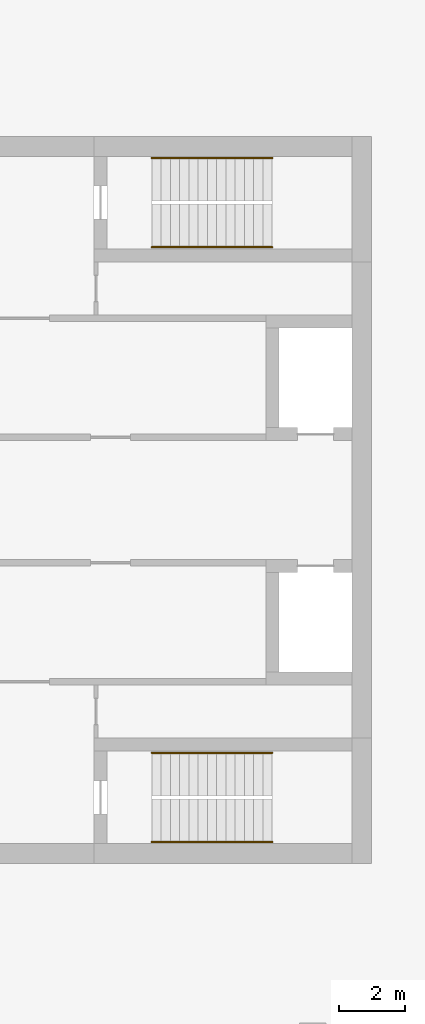
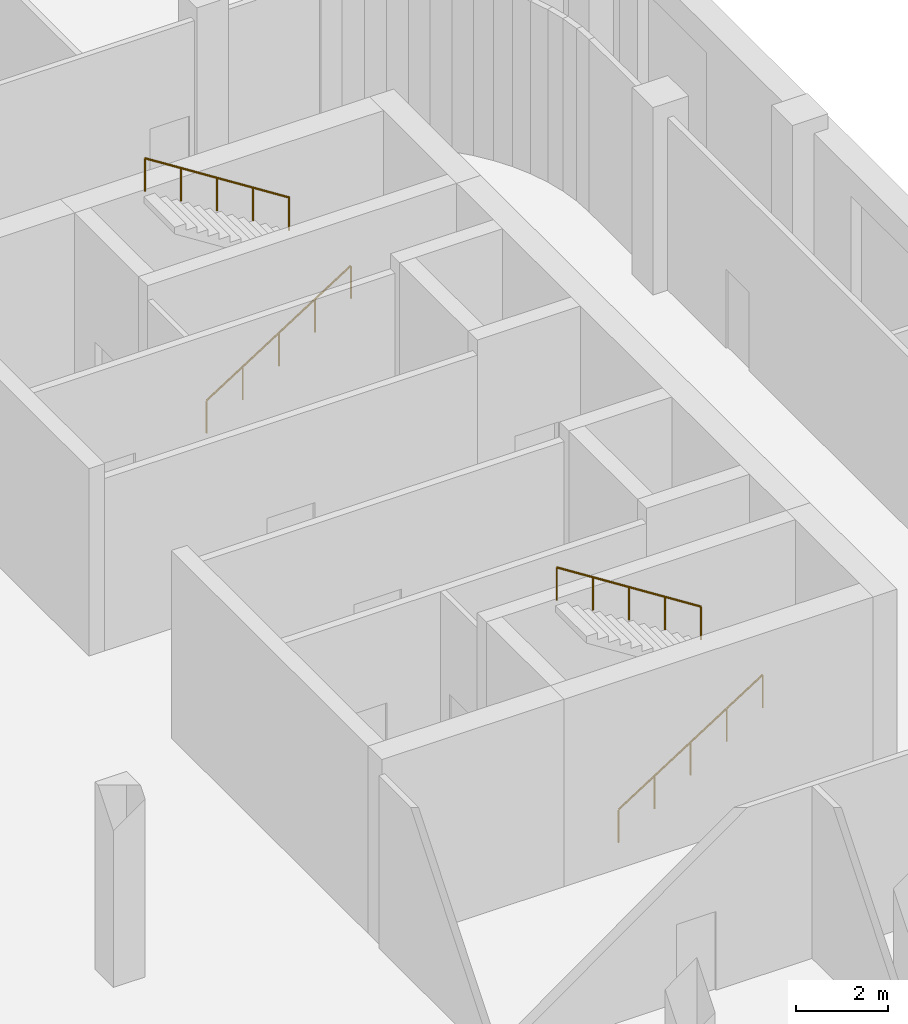
# One storey, part 25 of 25: 4 railings.
"""IFC4 building model written with IfcOpenShell, lengths in metres."""

import ifcopenshell
import ifcopenshell.guid

model = None  # the IFC model being written
_history = None  # IfcOwnerHistory: only IFC2X3 demands one
_inside = {}  # id of a spatial element -> (the spatial element, [elements in it])
_under = {}  # id of a project, library or spatial element -> (it, [spatial elements below it])
_declared = {}  # id of a project -> (the project, [libraries it declares])
_typed = {}  # id of a type object -> (the type object, [elements of that type])
_made_of = {}  # id of a material, layer set ... -> (it, [elements and type objects made of it])


def new_model(schema):
    """Start an empty IFC model of exactly this schema.

    Asked for "IFC4X3", IfcOpenShell would pick the latest addendum, in which some entities
    have other attributes; the version numbers below select the first issue.
    IFC2X3 requires an IfcOwnerHistory on every rooted entity: one is made here for all.
    """
    global model, _history
    if schema == "IFC4X3":
        model = ifcopenshell.file(schema_version=(4, 3, 0, 0))
    else:
        model = ifcopenshell.file(schema=schema)
    _inside.clear()
    _under.clear()
    _declared.clear()
    _typed.clear()
    _made_of.clear()
    _history = None
    if model.schema == "IFC2X3":
        org = make("IfcOrganization", Name="unknown")
        user = make(
            "IfcPersonAndOrganization",
            ThePerson=make("IfcPerson", FamilyName="unknown"),
            TheOrganization=org,
        )
        app = make(
            "IfcApplication",
            ApplicationDeveloper=org,
            Version="unknown",
            ApplicationFullName="unknown",
            ApplicationIdentifier="unknown",
        )
        _history = make(
            "IfcOwnerHistory",
            OwningUser=user,
            OwningApplication=app,
            ChangeAction="ADDED",
            CreationDate=0,
        )
    return model


def make(cls, **values):
    """One entity of the class cls with the attributes given. An attribute that is None is left unset."""
    return model.create_entity(
        cls, **{name: value for name, value in values.items() if value is not None}
    )


def rooted(cls, **values):
    """An entity with a GlobalId (a new one), such as an element, a storey or a relation."""
    return make(cls, GlobalId=ifcopenshell.guid.new(), OwnerHistory=_history, **values)


def si_unit(unit_type, name, prefix=None):
    """IfcSIUnit, for example si_unit("LENGTHUNIT", "METRE", prefix="MILLI")."""
    return make("IfcSIUnit", UnitType=unit_type, Prefix=prefix, Name=name)


def assignment(units):
    """IfcUnitAssignment: the units of a project."""
    return None if units is None else make("IfcUnitAssignment", Units=units)


def point(xyz):
    """IfcCartesianPoint."""
    return None if xyz is None else make("IfcCartesianPoint", Coordinates=xyz)


def direction(xyz):
    """IfcDirection."""
    return None if xyz is None else make("IfcDirection", DirectionRatios=xyz)


def frame(location, z_axis=None, x_axis=None):
    """IfcAxis2Placement3D, a coordinate frame: its origin and axes. An axis left out is left unset."""
    return make(
        "IfcAxis2Placement3D",
        Location=point(location),
        Axis=direction(z_axis),
        RefDirection=direction(x_axis),
    )


def frame_2d(location, x_axis=None):
    """IfcAxis2Placement2D, a coordinate frame in the plane: its origin and x axis."""
    return make(
        "IfcAxis2Placement2D", Location=point(location), RefDirection=direction(x_axis)
    )


def origin():
    """The frame at (0, 0, 0) with its axes left unset."""
    return frame((0.0, 0.0, 0.0))


def origin_2d():
    """The frame at (0, 0) in the plane with its x axis left unset."""
    return frame_2d((0.0, 0.0))


def place(relative_to, where):
    """IfcLocalPlacement: puts the frame where relative to a parent placement (None: the world)."""
    return make(
        "IfcLocalPlacement", PlacementRelTo=relative_to, RelativePlacement=where
    )


def context(
    kind, dimensions, precision=None, world=None, true_north=None, identifier=None
):
    """IfcGeometricRepresentationContext, for example the 3D "Model" context."""
    return make(
        "IfcGeometricRepresentationContext",
        ContextIdentifier=identifier,
        ContextType=kind,
        CoordinateSpaceDimension=dimensions,
        Precision=precision,
        WorldCoordinateSystem=world,
        TrueNorth=true_north,
    )


def subcontext(parent, identifier, kind, view, scale=None):
    """IfcGeometricRepresentationSubContext, for example "Body" below "Model"."""
    return make(
        "IfcGeometricRepresentationSubContext",
        ContextIdentifier=identifier,
        ContextType=kind,
        ParentContext=parent,
        TargetScale=scale,
        TargetView=view,
    )


def project(units=None, contexts=None):
    """IfcProject with its units and contexts."""
    return rooted(
        "IfcProject",
        Name="project",
        RepresentationContexts=contexts,
        UnitsInContext=assignment(units),
    )


def spatial(cls, under=None, at=None, **own):
    """A site, building, storey or space (cls), placed at a placement, below another one or the project."""
    s = rooted(cls, ObjectPlacement=at, **own)
    if under is not None:
        _under.setdefault(under.id(), (under, []))[1].append(s)
    return s


def profile(cls, at=None, kind="AREA", **sizes):
    """A parametric profile (cls). Its sizes go by their IFC names, for example OverallWidth=200.0."""
    return make(cls, ProfileType=kind, Position=at, **sizes)


def circle(**sizes):
    """IfcCircleProfileDef."""
    return profile("IfcCircleProfileDef", **sizes)


def extrude(swept, where, along, depth):
    """IfcExtrudedAreaSolid: the profile swept, set in the frame where, extruded along a direction by depth."""
    return make(
        "IfcExtrudedAreaSolid",
        SweptArea=swept,
        Position=where,
        ExtrudedDirection=direction(along),
        Depth=depth,
    )


def shape(context_of_items, identifier, shape_type, items):
    """IfcShapeRepresentation: the items that make up one representation, for example the "Body"."""
    return make(
        "IfcShapeRepresentation",
        ContextOfItems=context_of_items,
        RepresentationIdentifier=identifier,
        RepresentationType=shape_type,
        Items=items,
    )


def material(Name=None, Category=None):
    """IfcMaterial."""
    return make("IfcMaterial", Name=Name, Category=Category)


def made_of(thing, what):
    """Note that an element or type object is made of a material, layer set ...; save() writes the relation."""
    if what is not None:
        _made_of.setdefault(what.id(), (what, []))[1].append(thing)
    return thing


def type_object(cls, material=None, **own):
    """A type object (cls), such as IfcWallType, which elements share."""
    return made_of(rooted(cls, **own), material)


def element(
    cls,
    number,
    at=None,
    inside=None,
    cuts=None,
    type_object=None,
    material=None,
    context=None,
    identifier="Body",
    shape_type=None,
    held_by="IfcProductDefinitionShape",
    body=None,
    shapes=None,
    **own,
):
    """One element of the class cls, such as IfcWall. Its Tag is "e" and its number.

    at: its placement. inside: the storey or other place that contains it. cuts: it is an
    opening in that element (IfcRelVoidsElement). A single representation is given by context,
    identifier, shape_type and body (its items); several are given by shapes. held_by: the class
    of the entity that holds the representations. save() writes the other relations.
    """
    e = rooted(cls, Tag="e%d" % number, ObjectPlacement=at, **own)
    if body is not None:
        shapes = [shape(context, identifier, shape_type, body)]
    if shapes is not None:
        e.Representation = make(held_by, Representations=shapes)
    if inside is not None:
        _inside.setdefault(inside.id(), (inside, []))[1].append(e)
    if cuts is not None:
        rooted(
            "IfcRelVoidsElement", RelatingBuildingElement=cuts, RelatedOpeningElement=e
        )
    if type_object is not None:
        _typed.setdefault(type_object.id(), (type_object, []))[1].append(e)
    return made_of(e, material)


def aggregate(whole, parts):
    """IfcRelAggregates: a whole, such as a stair, and the parts it consists of."""
    return rooted("IfcRelAggregates", RelatingObject=whole, RelatedObjects=parts)


def save(model, path):
    """Write the relations noted so far, then the file.

    IfcRelAggregates (storeys below a building ...), IfcRelContainedInSpatialStructure (elements
    in a storey), IfcRelDefinesByType, IfcRelAssociatesMaterial and IfcRelDeclares: one each for
    every whole, place, type object, material and project.
    """
    for whole, parts in _under.values():
        aggregate(whole, parts)
    for where, things in _inside.values():
        rooted(
            "IfcRelContainedInSpatialStructure",
            RelatedElements=things,
            RelatingStructure=where,
        )
    for kind, things in _typed.values():
        rooted("IfcRelDefinesByType", RelatedObjects=things, RelatingType=kind)
    for what, things in _made_of.values():
        rooted("IfcRelAssociatesMaterial", RelatedObjects=things, RelatingMaterial=what)
    for by, libraries in _declared.values():
        rooted("IfcRelDeclares", RelatingContext=by, RelatedDefinitions=libraries)
    model.write(path)


model = new_model("IFC4")

# Units and contexts
model_context = context("Model", 3, precision=1e-05, world=origin(), true_north=direction((0.0, 1.0)))
body_context = subcontext(model_context, "Body", "Model", "MODEL_VIEW")
ifc_project = project(units=[si_unit("LENGTHUNIT", "METRE"), si_unit("AREAUNIT", "SQUARE_METRE"), si_unit("VOLUMEUNIT", "CUBIC_METRE"), si_unit("PLANEANGLEUNIT", "RADIAN"), si_unit("MASSUNIT", "GRAM", prefix="KILO")], contexts=[model_context])

# Site, building, storey
site_placement = place(None, origin())
site = spatial("IfcSite", under=ifc_project, at=site_placement, CompositionType="ELEMENT")
building_placement = place(site_placement, origin())
building = spatial("IfcBuilding", under=site, at=building_placement, Name="Skarvind Civic Tower", CompositionType="ELEMENT")
storey_placement = place(building_placement, frame((0.0, 0.0, 7.5)))
storey = spatial("IfcBuildingStorey", under=building, at=storey_placement, Name="L01", CompositionType="ELEMENT", Elevation=7.5)

# Railings
ifc_material = material(Name="Painted steel handrail", Category="steel")
railing_type = type_object("IfcRailingType", Name="Stair handrail 900", PredefinedType="HANDRAIL", material=ifc_material)
railing_1_placement = place(storey_placement, frame((160.35009765625, 135.64990234375, 0.178466796875)))
element("IfcRailing", 1, at=railing_1_placement, inside=storey, type_object=railing_type, Name="Stair handrail", PredefinedType="HANDRAIL", context=body_context, shape_type="SweptSolid", body=[
    extrude(circle(Radius=0.02392578125, at=origin_2d()), frame((0.0, 0.0, 0.8759765625), z_axis=(0.843111507901, 0.0, 0.53773877045), x_axis=(0.0, 1.0, 0.0)), (0.0, 0.0, 1.0), 4.317138671875),
    extrude(circle(Radius=0.02099609375, at=origin_2d()), origin(), (0.0, 0.0, 1.0), 0.851806640625),
    extrude(circle(Radius=0.02099609375, at=origin_2d()), frame((0.909912109375, 0.0, 0.580322265625)), (0.0, 0.0, 1.0), 0.851806640625),
    extrude(circle(Radius=0.02099609375, at=origin_2d()), frame((1.81982421875, 0.0, 1.16064453125)), (0.0, 0.0, 1.0), 0.851806640625),
    extrude(circle(Radius=0.02099609375, at=origin_2d()), frame((2.72998046875, 0.0, 1.7412109375)), (0.0, 0.0, 1.0), 0.851806640625),
    extrude(circle(Radius=0.02099609375, at=origin_2d()), frame((3.639892578125, 0.0, 2.321533203125)), (0.0, 0.0, 1.0), 0.851806640625),
])
railing_2_placement = place(storey_placement, frame((163.989990234375, 138.35009765625, 2.678466796875)))
element("IfcRailing", 2, at=railing_2_placement, inside=storey, type_object=railing_type, Name="Stair handrail", PredefinedType="HANDRAIL", context=body_context, shape_type="SweptSolid", body=[
    extrude(circle(Radius=0.02392578125, at=origin_2d()), frame((0.0, 0.0, 0.8759765625), z_axis=(-0.843111507901, 0.0, 0.53773877045), x_axis=(0.0, -1.0, 0.0)), (0.0, 0.0, 1.0), 4.317138671875),
    extrude(circle(Radius=0.02099609375, at=origin_2d()), origin(), (0.0, 0.0, 1.0), 0.851806640625),
    extrude(circle(Radius=0.02099609375, at=origin_2d()), frame((-0.909912109375, 0.0, 0.580322265625)), (0.0, 0.0, 1.0), 0.851806640625),
    extrude(circle(Radius=0.02099609375, at=origin_2d()), frame((-1.81982421875, 0.0, 1.16064453125)), (0.0, 0.0, 1.0), 0.851806640625),
    extrude(circle(Radius=0.02099609375, at=origin_2d()), frame((-2.72998046875, 0.0, 1.7412109375)), (0.0, 0.0, 1.0), 0.851806640625),
    extrude(circle(Radius=0.02099609375, at=origin_2d()), frame((-3.639892578125, 0.0, 2.321533203125)), (0.0, 0.0, 1.0), 0.851806640625),
])
railing_3_placement = place(storey_placement, frame((160.35009765625, 117.64990234375, 0.178466796875)))
element("IfcRailing", 3, at=railing_3_placement, inside=storey, type_object=railing_type, Name="Stair handrail", PredefinedType="HANDRAIL", context=body_context, shape_type="SweptSolid", body=[
    extrude(circle(Radius=0.02392578125, at=origin_2d()), frame((0.0, 0.0, 0.8759765625), z_axis=(0.843111507901, 0.0, 0.53773877045), x_axis=(0.0, 1.0, 0.0)), (0.0, 0.0, 1.0), 4.317138671875),
    extrude(circle(Radius=0.02099609375, at=origin_2d()), origin(), (0.0, 0.0, 1.0), 0.851806640625),
    extrude(circle(Radius=0.02099609375, at=origin_2d()), frame((0.909912109375, 0.0, 0.580322265625)), (0.0, 0.0, 1.0), 0.851806640625),
    extrude(circle(Radius=0.02099609375, at=origin_2d()), frame((1.81982421875, 0.0, 1.16064453125)), (0.0, 0.0, 1.0), 0.851806640625),
    extrude(circle(Radius=0.02099609375, at=origin_2d()), frame((2.72998046875, 0.0, 1.7412109375)), (0.0, 0.0, 1.0), 0.851806640625),
    extrude(circle(Radius=0.02099609375, at=origin_2d()), frame((3.639892578125, 0.0, 2.321533203125)), (0.0, 0.0, 1.0), 0.851806640625),
])
railing_4_placement = place(storey_placement, frame((163.989990234375, 120.35009765625, 2.678466796875)))
element("IfcRailing", 4, at=railing_4_placement, inside=storey, type_object=railing_type, Name="Stair handrail", PredefinedType="HANDRAIL", context=body_context, shape_type="SweptSolid", body=[
    extrude(circle(Radius=0.02392578125, at=origin_2d()), frame((0.0, 0.0, 0.8759765625), z_axis=(-0.843111507901, 0.0, 0.53773877045), x_axis=(0.0, -1.0, 0.0)), (0.0, 0.0, 1.0), 4.317138671875),
    extrude(circle(Radius=0.02099609375, at=origin_2d()), origin(), (0.0, 0.0, 1.0), 0.851806640625),
    extrude(circle(Radius=0.02099609375, at=origin_2d()), frame((-0.909912109375, 0.0, 0.580322265625)), (0.0, 0.0, 1.0), 0.851806640625),
    extrude(circle(Radius=0.02099609375, at=origin_2d()), frame((-1.81982421875, 0.0, 1.16064453125)), (0.0, 0.0, 1.0), 0.851806640625),
    extrude(circle(Radius=0.02099609375, at=origin_2d()), frame((-2.72998046875, 0.0, 1.7412109375)), (0.0, 0.0, 1.0), 0.851806640625),
    extrude(circle(Radius=0.02099609375, at=origin_2d()), frame((-3.639892578125, 0.0, 2.321533203125)), (0.0, 0.0, 1.0), 0.851806640625),
])

save(model, "model.ifc")
